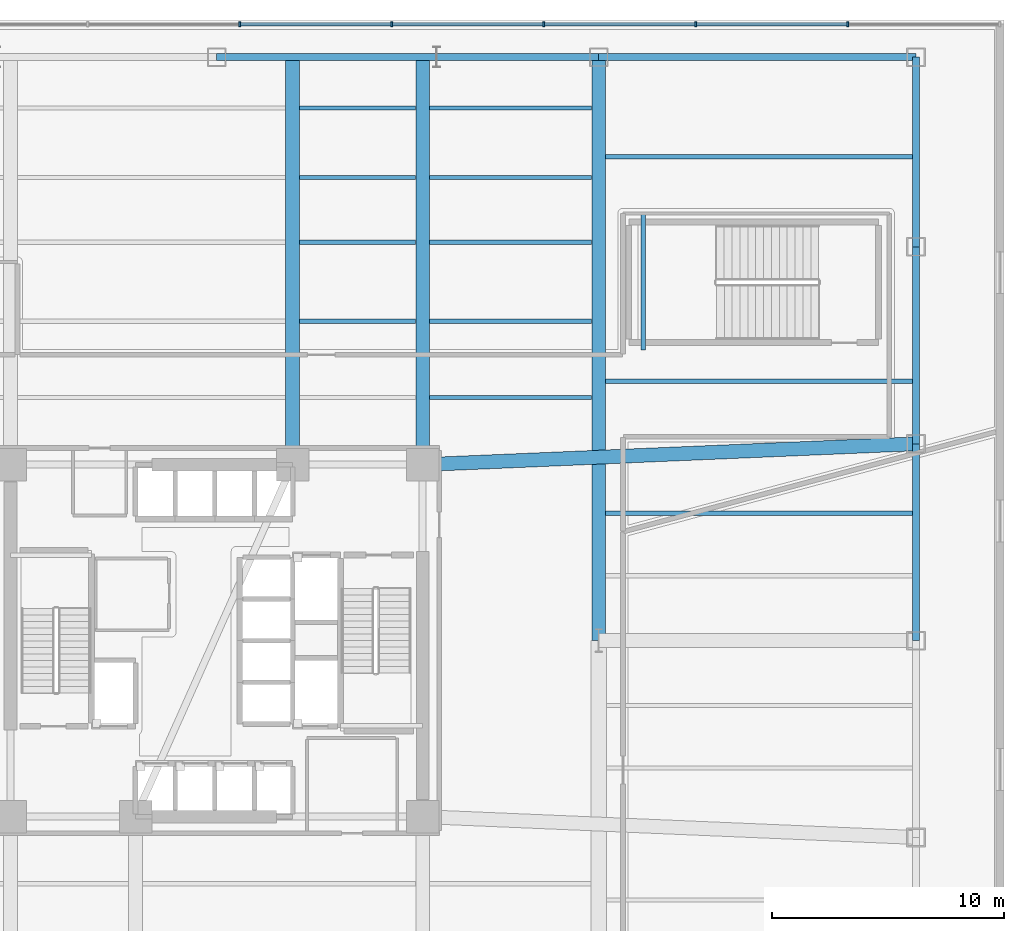
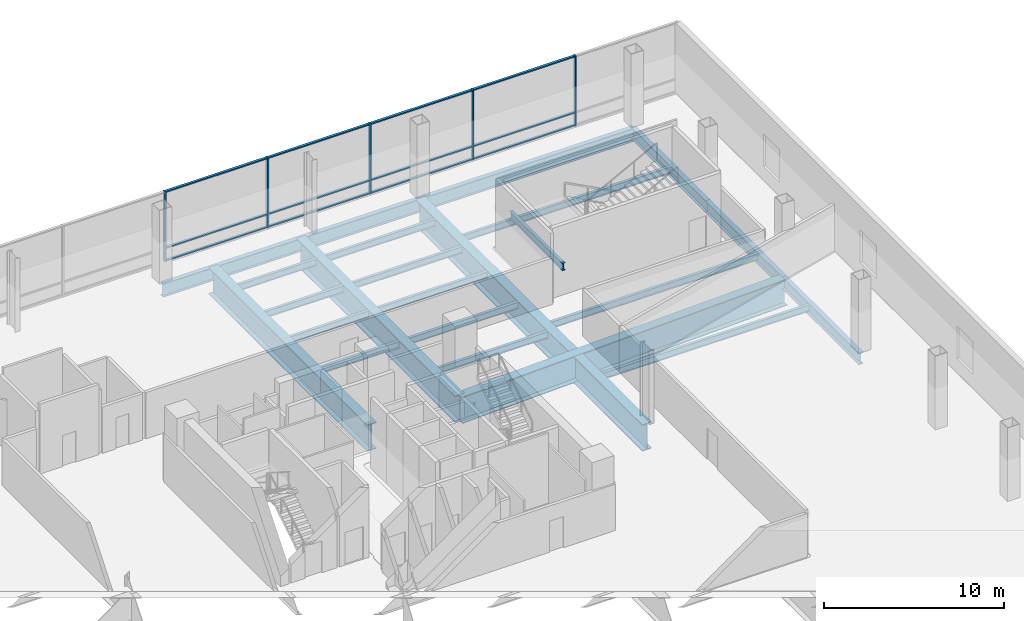
# One storey, part 6 of 20: 23 beams, 17 members, 1 element without a shape of its own.
"""IFC4 building model written with IfcOpenShell, lengths in metres."""

from ifc_helpers import new_model, si_unit, direction, frame, origin, origin_2d, place, context, subcontext, project, spatial, rectangle, i_section, extrude, material, layer, layer_set, material_profile, profile_set, type_object, element, aggregate, save


model = new_model("IFC4")

# Units and contexts
model_context = context("Model", 3, precision=1e-05, world=origin(), true_north=direction((0.0, 1.0)))
body_context = subcontext(model_context, "Body", "Model", "MODEL_VIEW")
ifc_project = project(units=[si_unit("LENGTHUNIT", "METRE"), si_unit("AREAUNIT", "SQUARE_METRE"), si_unit("VOLUMEUNIT", "CUBIC_METRE"), si_unit("PLANEANGLEUNIT", "RADIAN"), si_unit("MASSUNIT", "GRAM", prefix="KILO")], contexts=[model_context])

# Site, building, storey
site_placement = place(None, origin())
site = spatial("IfcSite", under=ifc_project, at=site_placement, CompositionType="ELEMENT")
building_placement = place(site_placement, origin())
building = spatial("IfcBuilding", under=site, at=building_placement, Name="Tharavind Bronze Gate", CompositionType="ELEMENT")
storey_placement = place(building_placement, frame((0.0, 0.0, 16.5)))
storey = spatial("IfcBuildingStorey", under=building, at=storey_placement, Name="L03", CompositionType="ELEMENT", Elevation=16.5)

# Curtain wall, members
ifc_material_1 = material(Name="Anodised Bronze Aluminium", Category="aluminium")
ifc_layer = layer(ifc_material_1, 0.219970703125)
ifc_layer_set = layer_set([ifc_layer], Name="Anodised Bronze Aluminium")
curtain_wall_type = type_object("IfcCurtainWallType", Name="UNITISED CURTAIN WALL PODIUM", PredefinedType="USERDEFINED", material=ifc_layer_set)
curtain_wall_placement = place(storey_placement, origin())
curtain_wall = element("IfcCurtainWall", 1, at=curtain_wall_placement, inside=storey, type_object=curtain_wall_type, Name="L03 unitised curtain wall podium CW-L03-S2", ObjectType="UNITISED CURTAIN WALL", PredefinedType="USERDEFINED")
member_type_1 = type_object("IfcMemberType", Name="CURTAIN WALL MULLION 80X220", PredefinedType="MULLION", material=ifc_material_1)
member_1_placement = place(storey_placement, frame((27.256103515625, 26.6201171875, 0.0), z_axis=(0.0, 0.0, 1.0), x_axis=(-1.0, 0.0, 0.0)))
member_1 = element("IfcMember", 2, at=member_1_placement, type_object=member_type_1, Name="CW-L03-S2 mullion 2", PredefinedType="MULLION", context=body_context, shape_type="SweptSolid", body=[
    extrude(rectangle(XDim=0.080078125, YDim=0.219970703125, at=origin_2d()), origin(), (0.0, 0.0, 1.0), 4.739990234375),
])
member_2_placement = place(storey_placement, frame((20.69189453125, 26.6201171875, 0.0), z_axis=(0.0, 0.0, 1.0), x_axis=(-1.0, 0.0, 0.0)))
member_2 = element("IfcMember", 3, at=member_2_placement, type_object=member_type_1, Name="CW-L03-S2 mullion 3", PredefinedType="MULLION", context=body_context, shape_type="SweptSolid", body=[
    extrude(rectangle(XDim=0.080078125, YDim=0.219970703125, at=origin_2d()), origin(), (0.0, 0.0, 1.0), 4.739990234375),
])
member_3_placement = place(storey_placement, frame((14.1279296875, 26.6201171875, 0.0), z_axis=(0.0, 0.0, 1.0), x_axis=(-1.0, 0.0, 0.0)))
member_3 = element("IfcMember", 4, at=member_3_placement, type_object=member_type_1, Name="CW-L03-S2 mullion 4", PredefinedType="MULLION", context=body_context, shape_type="SweptSolid", body=[
    extrude(rectangle(XDim=0.080078125, YDim=0.219970703125, at=origin_2d()), origin(), (0.0, 0.0, 1.0), 4.739990234375),
])
member_4_placement = place(storey_placement, frame((7.56396484375, 26.6201171875, 0.0), z_axis=(0.0, 0.0, 1.0), x_axis=(-1.0, 0.0, 0.0)))
member_4 = element("IfcMember", 5, at=member_4_placement, type_object=member_type_1, Name="CW-L03-S2 mullion 5", PredefinedType="MULLION", context=body_context, shape_type="SweptSolid", body=[
    extrude(rectangle(XDim=0.080078125, YDim=0.219970703125, at=origin_2d()), origin(), (0.0, 0.0, 1.0), 4.739990234375),
])
member_5_placement = place(storey_placement, frame((1.0, 26.6201171875, 0.0), z_axis=(0.0, 0.0, 1.0), x_axis=(-1.0, 0.0, 0.0)))
member_5 = element("IfcMember", 6, at=member_5_placement, type_object=member_type_1, Name="CW-L03-S2 mullion 6", PredefinedType="MULLION", context=body_context, shape_type="SweptSolid", body=[
    extrude(rectangle(XDim=0.080078125, YDim=0.219970703125, at=origin_2d()), origin(), (0.0, 0.0, 1.0), 4.739990234375),
])
member_type_2 = type_object("IfcMemberType", Name="CURTAIN WALL TRANSOM 80X160", PredefinedType="USERDEFINED", material=ifc_material_1)
member_6_placement = place(storey_placement, frame((23.97412109375, 26.6201171875, 0.0), z_axis=(0.0, 0.0, 1.0), x_axis=(-1.0, 0.0, 0.0)))
member_6 = element("IfcMember", 7, at=member_6_placement, type_object=member_type_2, Name="CW-L03-S2 transom TB2", ObjectType="TRANSOM", PredefinedType="USERDEFINED", context=body_context, shape_type="SweptSolid", body=[
    extrude(rectangle(XDim=6.49609375, YDim=0.159912109375, at=origin_2d()), origin(), (0.0, 0.0, 1.0), 0.080078125),
])
member_7_placement = place(storey_placement, frame((23.97412109375, 26.6201171875, 0.85986328125), z_axis=(0.0, 0.0, 1.0), x_axis=(-1.0, 0.0, 0.0)))
member_7 = element("IfcMember", 8, at=member_7_placement, type_object=member_type_2, Name="CW-L03-S2 transom TS2", ObjectType="TRANSOM", PredefinedType="USERDEFINED", context=body_context, shape_type="SweptSolid", body=[
    extrude(rectangle(XDim=6.49609375, YDim=0.159912109375, at=origin_2d()), origin(), (0.0, 0.0, 1.0), 0.080078125),
])
member_8_placement = place(storey_placement, frame((23.97412109375, 26.6201171875, 4.659912109375), z_axis=(0.0, 0.0, 1.0), x_axis=(-1.0, 0.0, 0.0)))
member_8 = element("IfcMember", 9, at=member_8_placement, type_object=member_type_2, Name="CW-L03-S2 transom TT2", ObjectType="TRANSOM", PredefinedType="USERDEFINED", context=body_context, shape_type="SweptSolid", body=[
    extrude(rectangle(XDim=6.49609375, YDim=0.159912109375, at=origin_2d()), origin(), (0.0, 0.0, 1.0), 0.080078125),
])
member_9_placement = place(storey_placement, frame((17.409912109375, 26.6201171875, 0.0), z_axis=(0.0, 0.0, 1.0), x_axis=(-1.0, 0.0, 0.0)))
member_9 = element("IfcMember", 10, at=member_9_placement, type_object=member_type_2, Name="CW-L03-S2 transom TB3", ObjectType="TRANSOM", PredefinedType="USERDEFINED", context=body_context, shape_type="SweptSolid", body=[
    extrude(rectangle(XDim=6.49609375, YDim=0.159912109375, at=origin_2d()), origin(), (0.0, 0.0, 1.0), 0.080078125),
])
member_10_placement = place(storey_placement, frame((17.409912109375, 26.6201171875, 0.85986328125), z_axis=(0.0, 0.0, 1.0), x_axis=(-1.0, 0.0, 0.0)))
member_10 = element("IfcMember", 11, at=member_10_placement, type_object=member_type_2, Name="CW-L03-S2 transom TS3", ObjectType="TRANSOM", PredefinedType="USERDEFINED", context=body_context, shape_type="SweptSolid", body=[
    extrude(rectangle(XDim=6.49609375, YDim=0.159912109375, at=origin_2d()), origin(), (0.0, 0.0, 1.0), 0.080078125),
])
member_11_placement = place(storey_placement, frame((17.409912109375, 26.6201171875, 4.659912109375), z_axis=(0.0, 0.0, 1.0), x_axis=(-1.0, 0.0, 0.0)))
member_11 = element("IfcMember", 12, at=member_11_placement, type_object=member_type_2, Name="CW-L03-S2 transom TT3", ObjectType="TRANSOM", PredefinedType="USERDEFINED", context=body_context, shape_type="SweptSolid", body=[
    extrude(rectangle(XDim=6.49609375, YDim=0.159912109375, at=origin_2d()), origin(), (0.0, 0.0, 1.0), 0.080078125),
])
member_12_placement = place(storey_placement, frame((10.845947265625, 26.6201171875, 0.0), z_axis=(0.0, 0.0, 1.0), x_axis=(-1.0, 0.0, 0.0)))
member_12 = element("IfcMember", 13, at=member_12_placement, type_object=member_type_2, Name="CW-L03-S2 transom TB4", ObjectType="TRANSOM", PredefinedType="USERDEFINED", context=body_context, shape_type="SweptSolid", body=[
    extrude(rectangle(XDim=6.49609375, YDim=0.159912109375, at=origin_2d()), origin(), (0.0, 0.0, 1.0), 0.080078125),
])
member_13_placement = place(storey_placement, frame((10.845947265625, 26.6201171875, 0.85986328125), z_axis=(0.0, 0.0, 1.0), x_axis=(-1.0, 0.0, 0.0)))
member_13 = element("IfcMember", 14, at=member_13_placement, type_object=member_type_2, Name="CW-L03-S2 transom TS4", ObjectType="TRANSOM", PredefinedType="USERDEFINED", context=body_context, shape_type="SweptSolid", body=[
    extrude(rectangle(XDim=6.49609375, YDim=0.159912109375, at=origin_2d()), origin(), (0.0, 0.0, 1.0), 0.080078125),
])
member_14_placement = place(storey_placement, frame((10.845947265625, 26.6201171875, 4.659912109375), z_axis=(0.0, 0.0, 1.0), x_axis=(-1.0, 0.0, 0.0)))
member_14 = element("IfcMember", 15, at=member_14_placement, type_object=member_type_2, Name="CW-L03-S2 transom TT4", ObjectType="TRANSOM", PredefinedType="USERDEFINED", context=body_context, shape_type="SweptSolid", body=[
    extrude(rectangle(XDim=6.49609375, YDim=0.159912109375, at=origin_2d()), origin(), (0.0, 0.0, 1.0), 0.080078125),
])
member_15_placement = place(storey_placement, frame((4.281982421875, 26.6201171875, 0.0), z_axis=(0.0, 0.0, 1.0), x_axis=(-1.0, 0.0, 0.0)))
member_15 = element("IfcMember", 16, at=member_15_placement, type_object=member_type_2, Name="CW-L03-S2 transom TB5", ObjectType="TRANSOM", PredefinedType="USERDEFINED", context=body_context, shape_type="SweptSolid", body=[
    extrude(rectangle(XDim=6.49609375, YDim=0.159912109375, at=origin_2d()), origin(), (0.0, 0.0, 1.0), 0.080078125),
])
member_16_placement = place(storey_placement, frame((4.281982421875, 26.6201171875, 0.85986328125), z_axis=(0.0, 0.0, 1.0), x_axis=(-1.0, 0.0, 0.0)))
member_16 = element("IfcMember", 17, at=member_16_placement, type_object=member_type_2, Name="CW-L03-S2 transom TS5", ObjectType="TRANSOM", PredefinedType="USERDEFINED", context=body_context, shape_type="SweptSolid", body=[
    extrude(rectangle(XDim=6.49609375, YDim=0.159912109375, at=origin_2d()), origin(), (0.0, 0.0, 1.0), 0.080078125),
])
member_17_placement = place(storey_placement, frame((4.281982421875, 26.6201171875, 4.659912109375), z_axis=(0.0, 0.0, 1.0), x_axis=(-1.0, 0.0, 0.0)))
member_17 = element("IfcMember", 18, at=member_17_placement, type_object=member_type_2, Name="CW-L03-S2 transom TT5", ObjectType="TRANSOM", PredefinedType="USERDEFINED", context=body_context, shape_type="SweptSolid", body=[
    extrude(rectangle(XDim=6.49609375, YDim=0.159912109375, at=origin_2d()), origin(), (0.0, 0.0, 1.0), 0.080078125),
])
aggregate(curtain_wall, [member_1, member_2, member_3, member_4, member_5, member_6, member_7, member_8, member_9, member_10, member_11, member_12, member_13, member_14, member_15, member_16, member_17])

# Beams
ifc_material_2 = material(Name="Steel S355", Category="steel")
ifc_material_profile_1 = material_profile(ifc_material_2, i_section(OverallWidth=0.199951171875, OverallDepth=0.5, WebThickness=0.01025390625, FlangeThickness=0.01611328125, at=origin_2d()), Name="IPE500")
ifc_profile_set_1 = profile_set([ifc_material_profile_1], Name="Steel S355")
beam_type_1 = type_object("IfcBeamType", Name="PRIMARY GIRDER IPE500", PredefinedType="USERDEFINED", material=ifc_profile_set_1)
beam_1_placement = place(storey_placement, frame((18.419921875, 12.550048828125, 2.050048828125), z_axis=(0.0, 1.0, 0.0), x_axis=(-1.0, 0.0, 0.0)))
element("IfcBeam", 19, at=beam_1_placement, inside=storey, type_object=beam_type_1, Name="L03 primary girder ipe500 BM-LD-ST4-L03-1", ObjectType="GIRDER", PredefinedType="USERDEFINED", context=body_context, shape_type="SweptSolid", body=[
    extrude(i_section(OverallWidth=0.199951171875, OverallDepth=0.5, WebThickness=0.01025390625, FlangeThickness=0.01611328125, at=origin_2d()), origin(), (0.0, 0.0, 1.0), 5.849853515625),
])
ifc_material_profile_2 = material_profile(ifc_material_2, i_section(OverallWidth=0.300048828125, OverallDepth=0.800048828125, WebThickness=0.017578125, FlangeThickness=0.032958984375, at=origin_2d()), Name="HE800B")
ifc_profile_set_2 = profile_set([ifc_material_profile_2], Name="Steel S355")
beam_type_2 = type_object("IfcBeamType", Name="RING GIRDER HE800B", PredefinedType="USERDEFINED", material=ifc_profile_set_2)
for number, where, z_axis, x_axis, name in (
    (20, (30.199951171875, 0.0, -0.659912109375), (0.0, 1.0, 0.0), (-1.0, 0.0, 0.0), "L03 ring girder he800b BM-L03-PE4"),
    (21, (30.199951171875, 8.5, -0.659912109375), (0.0, 1.0, 0.0), (-1.0, 0.0, 0.0), "L03 ring girder he800b BM-L03-PE5"),
):
    element("IfcBeam", number, at=place(storey_placement, frame(where, z_axis=z_axis, x_axis=x_axis)), inside=storey, type_object=beam_type_2, Name=name, ObjectType="GIRDER", PredefinedType="USERDEFINED", context=body_context, shape_type="SweptSolid", body=[
        extrude(i_section(OverallWidth=0.300048828125, OverallDepth=0.800048828125, WebThickness=0.017578125, FlangeThickness=0.032958984375, at=origin_2d()), origin(), (0.0, 0.0, 1.0), 8.5),
    ])
beam_2_placement = place(storey_placement, frame((30.199951171875, 17.0, -0.659912109375), z_axis=(0.0, 1.0, 0.0), x_axis=(-1.0, 0.0, 0.0)))
element("IfcBeam", 22, at=beam_2_placement, inside=storey, type_object=beam_type_2, Name="L03 ring girder he800b BM-L03-PE6", ObjectType="GIRDER", PredefinedType="USERDEFINED", context=body_context, shape_type="SweptSolid", body=[
    extrude(i_section(OverallWidth=0.300048828125, OverallDepth=0.800048828125, WebThickness=0.017578125, FlangeThickness=0.032958984375, at=origin_2d()), origin(), (0.0, 0.0, 1.0), 8.199951171875),
])
ifc_material_profile_3 = material_profile(ifc_material_2, i_section(OverallWidth=0.18994140625, OverallDepth=0.449951171875, WebThickness=0.009521484375, FlangeThickness=0.0146484375, at=origin_2d()), Name="IPE450")
ifc_profile_set_3 = profile_set([ifc_material_profile_3], Name="Steel S355")
beam_type_3 = type_object("IfcBeamType", Name="SECONDARY FLOOR JOIST IPE450", PredefinedType="JOIST", material=ifc_profile_set_3)
beam_3_placement = place(storey_placement, frame((9.201904296875, 10.5, -0.485107421875), z_axis=(1.0, 0.0, 0.0), x_axis=(0.0, 1.0, 0.0)))
element("IfcBeam", 23, at=beam_3_placement, inside=storey, type_object=beam_type_3, Name="L03 secondary floor joist ipe450 BM-L03-JSN1E", PredefinedType="JOIST", context=body_context, shape_type="SweptSolid", body=[
    extrude(i_section(OverallWidth=0.18994140625, OverallDepth=0.449951171875, WebThickness=0.009521484375, FlangeThickness=0.0146484375, at=origin_2d()), origin(), (0.0, 0.0, 1.0), 6.99609375),
])
beam_4_placement = place(storey_placement, frame((3.58203125, 13.800048828125, -0.485107421875), z_axis=(1.0, 0.0, 0.0), x_axis=(0.0, 1.0, 0.0)))
element("IfcBeam", 24, at=beam_4_placement, inside=storey, type_object=beam_type_3, Name="L03 secondary floor joist ipe450 BM-L03-JSN2B", PredefinedType="JOIST", context=body_context, shape_type="SweptSolid", body=[
    extrude(i_section(OverallWidth=0.18994140625, OverallDepth=0.449951171875, WebThickness=0.009521484375, FlangeThickness=0.0146484375, at=origin_2d()), origin(), (0.0, 0.0, 1.0), 5.015869140625),
])
beam_5_placement = place(storey_placement, frame((9.201904296875, 13.800048828125, -0.485107421875), z_axis=(1.0, 0.0, 0.0), x_axis=(0.0, 1.0, 0.0)))
element("IfcBeam", 25, at=beam_5_placement, inside=storey, type_object=beam_type_3, Name="L03 secondary floor joist ipe450 BM-L03-JSN2E", PredefinedType="JOIST", context=body_context, shape_type="SweptSolid", body=[
    extrude(i_section(OverallWidth=0.18994140625, OverallDepth=0.449951171875, WebThickness=0.009521484375, FlangeThickness=0.0146484375, at=origin_2d()), origin(), (0.0, 0.0, 1.0), 6.99609375),
])
beam_6_placement = place(storey_placement, frame((3.58203125, 17.199951171875, -0.485107421875), z_axis=(1.0, 0.0, 0.0), x_axis=(0.0, 1.0, 0.0)))
element("IfcBeam", 26, at=beam_6_placement, inside=storey, type_object=beam_type_3, Name="L03 secondary floor joist ipe450 BM-L03-JSN3B", PredefinedType="JOIST", context=body_context, shape_type="SweptSolid", body=[
    extrude(i_section(OverallWidth=0.18994140625, OverallDepth=0.449951171875, WebThickness=0.009521484375, FlangeThickness=0.0146484375, at=origin_2d()), origin(), (0.0, 0.0, 1.0), 5.015869140625),
])
beam_7_placement = place(storey_placement, frame((9.201904296875, 17.199951171875, -0.485107421875), z_axis=(1.0, 0.0, 0.0), x_axis=(0.0, 1.0, 0.0)))
element("IfcBeam", 27, at=beam_7_placement, inside=storey, type_object=beam_type_3, Name="L03 secondary floor joist ipe450 BM-L03-JSN3E", PredefinedType="JOIST", context=body_context, shape_type="SweptSolid", body=[
    extrude(i_section(OverallWidth=0.18994140625, OverallDepth=0.449951171875, WebThickness=0.009521484375, FlangeThickness=0.0146484375, at=origin_2d()), origin(), (0.0, 0.0, 1.0), 6.99609375),
])
beam_8_placement = place(storey_placement, frame((3.58203125, 20.0, -0.485107421875), z_axis=(1.0, 0.0, 0.0), x_axis=(0.0, 1.0, 0.0)))
element("IfcBeam", 28, at=beam_8_placement, inside=storey, type_object=beam_type_3, Name="L03 secondary floor joist ipe450 BM-L03-JSN4B", PredefinedType="JOIST", context=body_context, shape_type="SweptSolid", body=[
    extrude(i_section(OverallWidth=0.18994140625, OverallDepth=0.449951171875, WebThickness=0.009521484375, FlangeThickness=0.0146484375, at=origin_2d()), origin(), (0.0, 0.0, 1.0), 5.015869140625),
])
beam_9_placement = place(storey_placement, frame((9.201904296875, 20.0, -0.485107421875), z_axis=(1.0, 0.0, 0.0), x_axis=(0.0, 1.0, 0.0)))
element("IfcBeam", 29, at=beam_9_placement, inside=storey, type_object=beam_type_3, Name="L03 secondary floor joist ipe450 BM-L03-JSN4E", PredefinedType="JOIST", context=body_context, shape_type="SweptSolid", body=[
    extrude(i_section(OverallWidth=0.18994140625, OverallDepth=0.449951171875, WebThickness=0.009521484375, FlangeThickness=0.0146484375, at=origin_2d()), origin(), (0.0, 0.0, 1.0), 6.99609375),
])
beam_10_placement = place(storey_placement, frame((3.58203125, 23.0, -0.485107421875), z_axis=(1.0, 0.0, 0.0), x_axis=(0.0, 1.0, 0.0)))
element("IfcBeam", 30, at=beam_10_placement, inside=storey, type_object=beam_type_3, Name="L03 secondary floor joist ipe450 BM-L03-JSN5B", PredefinedType="JOIST", context=body_context, shape_type="SweptSolid", body=[
    extrude(i_section(OverallWidth=0.18994140625, OverallDepth=0.449951171875, WebThickness=0.009521484375, FlangeThickness=0.0146484375, at=origin_2d()), origin(), (0.0, 0.0, 1.0), 5.015869140625),
])
beam_11_placement = place(storey_placement, frame((9.201904296875, 23.0, -0.485107421875), z_axis=(1.0, 0.0, 0.0), x_axis=(0.0, 1.0, 0.0)))
element("IfcBeam", 31, at=beam_11_placement, inside=storey, type_object=beam_type_3, Name="L03 secondary floor joist ipe450 BM-L03-JSN5E", PredefinedType="JOIST", context=body_context, shape_type="SweptSolid", body=[
    extrude(i_section(OverallWidth=0.18994140625, OverallDepth=0.449951171875, WebThickness=0.009521484375, FlangeThickness=0.0146484375, at=origin_2d()), origin(), (0.0, 0.0, 1.0), 6.99609375),
])
for number, where, z_axis, x_axis, name in (
    (32, (16.802001953125, 5.5, -0.485107421875), (1.0, 0.0, 0.0), (0.0, 1.0, 0.0), "L03 secondary floor joist ipe450 BM-L03-JSEE7"),
    (33, (16.802001953125, 11.199951171875, -0.485107421875), (1.0, 0.0, 0.0), (0.0, 1.0, 0.0), "L03 secondary floor joist ipe450 BM-L03-JSEE8"),
    (34, (16.802001953125, 20.89990234375, -0.485107421875), (1.0, 0.0, 0.0), (0.0, 1.0, 0.0), "L03 secondary floor joist ipe450 BM-L03-JSEE9"),
):
    element("IfcBeam", number, at=place(storey_placement, frame(where, z_axis=z_axis, x_axis=x_axis)), inside=storey, type_object=beam_type_3, Name=name, PredefinedType="JOIST", context=body_context, shape_type="SweptSolid", body=[
        extrude(i_section(OverallWidth=0.18994140625, OverallDepth=0.449951171875, WebThickness=0.009521484375, FlangeThickness=0.0146484375, at=origin_2d()), origin(), (0.0, 0.0, 1.0), 13.238037109375),
    ])
ifc_material_profile_4 = material_profile(ifc_material_2, i_section(OverallWidth=0.300048828125, OverallDepth=0.89990234375, WebThickness=0.0185546875, FlangeThickness=0.034912109375, at=origin_2d()), Name="HE900B")
ifc_profile_set_4 = profile_set([ifc_material_profile_4], Name="Steel S355")
beam_type_4 = type_object("IfcBeamType", Name="SPANDREL RING BEAM HE900B", PredefinedType="SPANDREL", material=ifc_profile_set_4)
beam_12_placement = place(storey_placement, frame((0.0, 25.199951171875, -0.7099609375), z_axis=(1.0, 0.0, 0.0), x_axis=(0.0, 1.0, 0.0)))
element("IfcBeam", 35, at=beam_12_placement, inside=storey, type_object=beam_type_4, Name="L03 spandrel ring beam he900b BM-L03-PN4", PredefinedType="SPANDREL", context=body_context, shape_type="SweptSolid", body=[
    extrude(i_section(OverallWidth=0.300048828125, OverallDepth=0.89990234375, WebThickness=0.0185546875, FlangeThickness=0.034912109375, at=origin_2d()), origin(), (0.0, 0.0, 1.0), 9.5),
])
beam_13_placement = place(storey_placement, frame((9.5, 25.199951171875, -0.7099609375), z_axis=(1.0, 0.0, 0.0), x_axis=(0.0, 1.0, 0.0)))
element("IfcBeam", 36, at=beam_13_placement, inside=storey, type_object=beam_type_4, Name="L03 spandrel ring beam he900b BM-L03-PN5", PredefinedType="SPANDREL", context=body_context, shape_type="SweptSolid", body=[
    extrude(i_section(OverallWidth=0.300048828125, OverallDepth=0.89990234375, WebThickness=0.0185546875, FlangeThickness=0.034912109375, at=origin_2d()), origin(), (0.0, 0.0, 1.0), 7.0),
])
beam_14_placement = place(storey_placement, frame((16.5, 25.199951171875, -0.7099609375), z_axis=(1.0, 0.0, 0.0), x_axis=(0.0, 1.0, 0.0)))
element("IfcBeam", 37, at=beam_14_placement, inside=storey, type_object=beam_type_4, Name="L03 spandrel ring beam he900b BM-L03-PN6", PredefinedType="SPANDREL", context=body_context, shape_type="SweptSolid", body=[
    extrude(i_section(OverallWidth=0.300048828125, OverallDepth=0.89990234375, WebThickness=0.0185546875, FlangeThickness=0.034912109375, at=origin_2d()), origin(), (0.0, 0.0, 1.0), 13.699951171875),
])
ifc_material_3 = material(Name="Steel S460", Category="steel")
ifc_material_profile_5 = material_profile(ifc_material_3, i_section(OverallWidth=0.60009765625, OverallDepth=1.800048828125, WebThickness=0.031982421875, FlangeThickness=0.054931640625, at=origin_2d()), Name="PG1800X600")
ifc_profile_set_5 = profile_set([ifc_material_profile_5], Name="Steel S460")
beam_type_5 = type_object("IfcBeamType", Name="TRANSFER GIRDER 1800X600", PredefinedType="USERDEFINED", material=ifc_profile_set_5)
beam_15_placement = place(storey_placement, frame((16.5, 0.0, -1.159912109375), z_axis=(0.0, 1.0, 0.0), x_axis=(-1.0, 0.0, 0.0)))
element("IfcBeam", 38, at=beam_15_placement, inside=storey, type_object=beam_type_5, Name="L03 transfer girder 1800x600 BM-L03-GS5N", ObjectType="TRANSFER GIRDER", PredefinedType="USERDEFINED", context=body_context, shape_type="SweptSolid", body=[
    extrude(i_section(OverallWidth=0.60009765625, OverallDepth=1.800048828125, WebThickness=0.031982421875, FlangeThickness=0.054931640625, at=origin_2d()), origin(), (0.0, 0.0, 1.0), 25.199951171875),
])
for number, where, z_axis, x_axis, name in (
    (39, (3.280029296875, 25.199951171875, -1.159912109375), (0.0, -1.0, 0.0), (1.0, 0.0, 0.0), "L03 transfer girder 1800x600 BM-L03-GN3"),
    (40, (8.89990234375, 25.199951171875, -1.159912109375), (0.0, -1.0, 0.0), (1.0, 0.0, 0.0), "L03 transfer girder 1800x600 BM-L03-GN4"),
):
    element("IfcBeam", number, at=place(storey_placement, frame(where, z_axis=z_axis, x_axis=x_axis)), inside=storey, type_object=beam_type_5, Name=name, ObjectType="TRANSFER GIRDER", PredefinedType="USERDEFINED", context=body_context, shape_type="SweptSolid", body=[
        extrude(i_section(OverallWidth=0.60009765625, OverallDepth=1.800048828125, WebThickness=0.031982421875, FlangeThickness=0.054931640625, at=origin_2d()), origin(), (0.0, 0.0, 1.0), 17.599853515625),
    ])
beam_16_placement = place(storey_placement, frame((30.199951171875, 8.5, -1.159912109375), z_axis=(-0.999108710794, -0.04221118354, 0.0), x_axis=(0.04221118354, -0.999108710794, 0.0)))
element("IfcBeam", 41, at=beam_16_placement, inside=storey, type_object=beam_type_5, Name="L03 transfer girder 1800x600 BM-L03-GE2", ObjectType="TRANSFER GIRDER", PredefinedType="USERDEFINED", context=body_context, shape_type="SweptSolid", body=[
    extrude(i_section(OverallWidth=0.60009765625, OverallDepth=1.800048828125, WebThickness=0.031982421875, FlangeThickness=0.054931640625, at=origin_2d()), origin(), (0.0, 0.0, 1.0), 21.319091796875),
])

save(model, "model.ifc")
